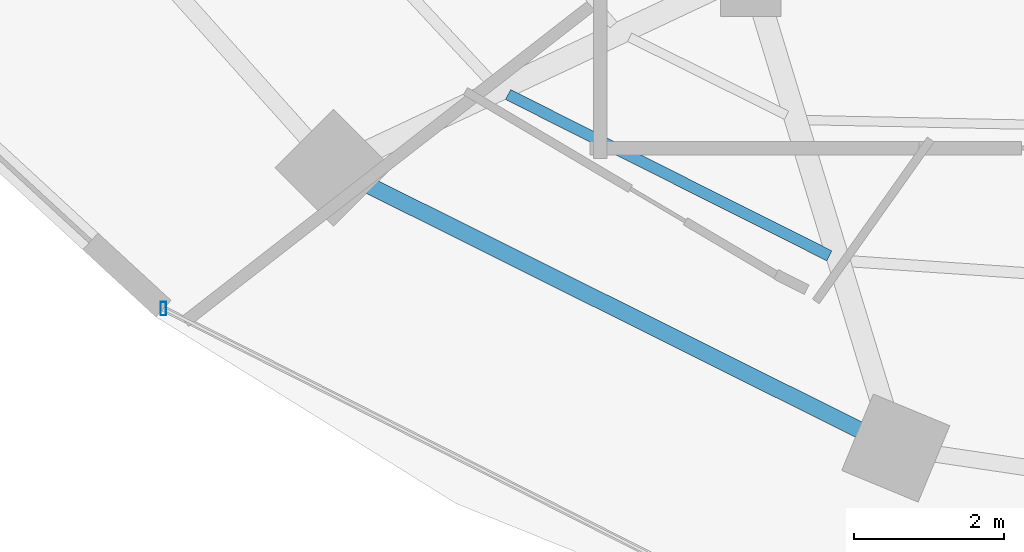
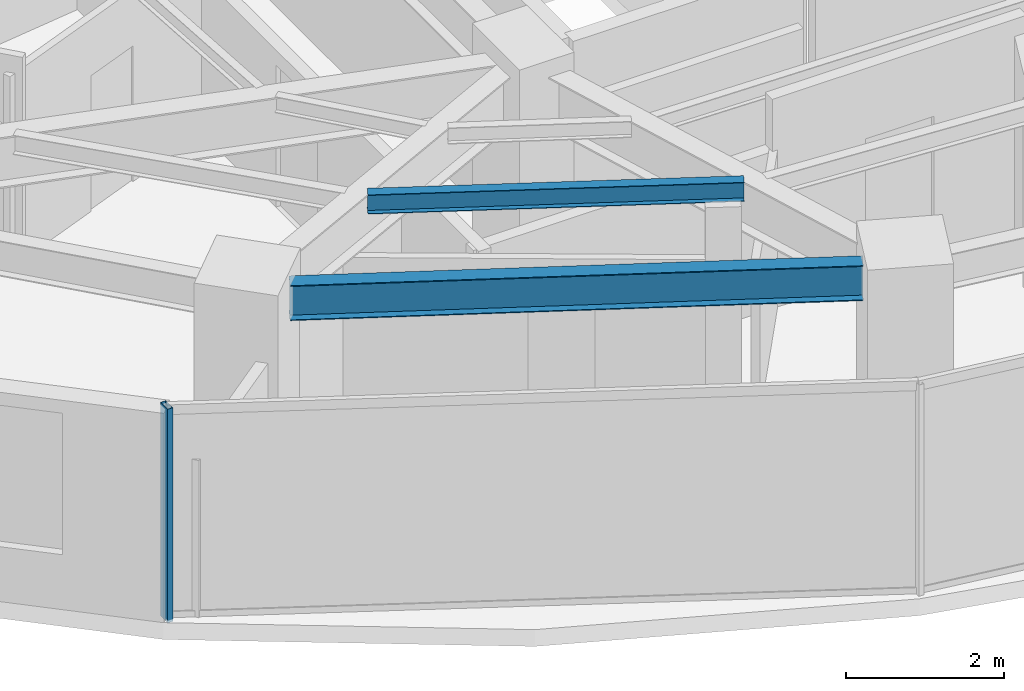
# One storey, part 2 of 30: 2 beams, 1 member, 1 element without a shape of its own.
"""IFC4 building model written with IfcOpenShell, lengths in metres."""

import ifcopenshell
import ifcopenshell.guid

model = None  # the IFC model being written
_history = None  # IfcOwnerHistory: only IFC2X3 demands one
_inside = {}  # id of a spatial element -> (the spatial element, [elements in it])
_under = {}  # id of a project, library or spatial element -> (it, [spatial elements below it])
_declared = {}  # id of a project -> (the project, [libraries it declares])
_typed = {}  # id of a type object -> (the type object, [elements of that type])
_made_of = {}  # id of a material, layer set ... -> (it, [elements and type objects made of it])


def new_model(schema):
    """Start an empty IFC model of exactly this schema.

    Asked for "IFC4X3", IfcOpenShell would pick the latest addendum, in which some entities
    have other attributes; the version numbers below select the first issue.
    IFC2X3 requires an IfcOwnerHistory on every rooted entity: one is made here for all.
    """
    global model, _history
    if schema == "IFC4X3":
        model = ifcopenshell.file(schema_version=(4, 3, 0, 0))
    else:
        model = ifcopenshell.file(schema=schema)
    _inside.clear()
    _under.clear()
    _declared.clear()
    _typed.clear()
    _made_of.clear()
    _history = None
    if model.schema == "IFC2X3":
        org = make("IfcOrganization", Name="unknown")
        user = make(
            "IfcPersonAndOrganization",
            ThePerson=make("IfcPerson", FamilyName="unknown"),
            TheOrganization=org,
        )
        app = make(
            "IfcApplication",
            ApplicationDeveloper=org,
            Version="unknown",
            ApplicationFullName="unknown",
            ApplicationIdentifier="unknown",
        )
        _history = make(
            "IfcOwnerHistory",
            OwningUser=user,
            OwningApplication=app,
            ChangeAction="ADDED",
            CreationDate=0,
        )
    return model


def make(cls, **values):
    """One entity of the class cls with the attributes given. An attribute that is None is left unset."""
    return model.create_entity(
        cls, **{name: value for name, value in values.items() if value is not None}
    )


def rooted(cls, **values):
    """An entity with a GlobalId (a new one), such as an element, a storey or a relation."""
    return make(cls, GlobalId=ifcopenshell.guid.new(), OwnerHistory=_history, **values)


def si_unit(unit_type, name, prefix=None):
    """IfcSIUnit, for example si_unit("LENGTHUNIT", "METRE", prefix="MILLI")."""
    return make("IfcSIUnit", UnitType=unit_type, Prefix=prefix, Name=name)


def assignment(units):
    """IfcUnitAssignment: the units of a project."""
    return None if units is None else make("IfcUnitAssignment", Units=units)


def point(xyz):
    """IfcCartesianPoint."""
    return None if xyz is None else make("IfcCartesianPoint", Coordinates=xyz)


def direction(xyz):
    """IfcDirection."""
    return None if xyz is None else make("IfcDirection", DirectionRatios=xyz)


def frame(location, z_axis=None, x_axis=None):
    """IfcAxis2Placement3D, a coordinate frame: its origin and axes. An axis left out is left unset."""
    return make(
        "IfcAxis2Placement3D",
        Location=point(location),
        Axis=direction(z_axis),
        RefDirection=direction(x_axis),
    )


def frame_2d(location, x_axis=None):
    """IfcAxis2Placement2D, a coordinate frame in the plane: its origin and x axis."""
    return make(
        "IfcAxis2Placement2D", Location=point(location), RefDirection=direction(x_axis)
    )


def origin():
    """The frame at (0, 0, 0) with its axes left unset."""
    return frame((0.0, 0.0, 0.0))


def origin_2d():
    """The frame at (0, 0) in the plane with its x axis left unset."""
    return frame_2d((0.0, 0.0))


def place(relative_to, where):
    """IfcLocalPlacement: puts the frame where relative to a parent placement (None: the world)."""
    return make(
        "IfcLocalPlacement", PlacementRelTo=relative_to, RelativePlacement=where
    )


def context(
    kind, dimensions, precision=None, world=None, true_north=None, identifier=None
):
    """IfcGeometricRepresentationContext, for example the 3D "Model" context."""
    return make(
        "IfcGeometricRepresentationContext",
        ContextIdentifier=identifier,
        ContextType=kind,
        CoordinateSpaceDimension=dimensions,
        Precision=precision,
        WorldCoordinateSystem=world,
        TrueNorth=true_north,
    )


def subcontext(parent, identifier, kind, view, scale=None):
    """IfcGeometricRepresentationSubContext, for example "Body" below "Model"."""
    return make(
        "IfcGeometricRepresentationSubContext",
        ContextIdentifier=identifier,
        ContextType=kind,
        ParentContext=parent,
        TargetScale=scale,
        TargetView=view,
    )


def project(units=None, contexts=None):
    """IfcProject with its units and contexts."""
    return rooted(
        "IfcProject",
        Name="project",
        RepresentationContexts=contexts,
        UnitsInContext=assignment(units),
    )


def spatial(cls, under=None, at=None, **own):
    """A site, building, storey or space (cls), placed at a placement, below another one or the project."""
    s = rooted(cls, ObjectPlacement=at, **own)
    if under is not None:
        _under.setdefault(under.id(), (under, []))[1].append(s)
    return s


def profile(cls, at=None, kind="AREA", **sizes):
    """A parametric profile (cls). Its sizes go by their IFC names, for example OverallWidth=200.0."""
    return make(cls, ProfileType=kind, Position=at, **sizes)


def hollow_rectangle(**sizes):
    """IfcRectangleHollowProfileDef."""
    return profile("IfcRectangleHollowProfileDef", **sizes)


def i_section(**sizes):
    """IfcIShapeProfileDef."""
    return profile("IfcIShapeProfileDef", **sizes)


def extrude(swept, where, along, depth):
    """IfcExtrudedAreaSolid: the profile swept, set in the frame where, extruded along a direction by depth."""
    return make(
        "IfcExtrudedAreaSolid",
        SweptArea=swept,
        Position=where,
        ExtrudedDirection=direction(along),
        Depth=depth,
    )


def shape(context_of_items, identifier, shape_type, items):
    """IfcShapeRepresentation: the items that make up one representation, for example the "Body"."""
    return make(
        "IfcShapeRepresentation",
        ContextOfItems=context_of_items,
        RepresentationIdentifier=identifier,
        RepresentationType=shape_type,
        Items=items,
    )


def material(Name=None, Category=None):
    """IfcMaterial."""
    return make("IfcMaterial", Name=Name, Category=Category)


def material_profile(
    of_material, cross_section, Name=None, Category=None, Priority=None
):
    """IfcMaterialProfile: a cross section and its material."""
    return make(
        "IfcMaterialProfile",
        Name=Name,
        Material=of_material,
        Profile=cross_section,
        Priority=Priority,
        Category=Category,
    )


def profile_set(profiles, Name=None, composite=None):
    """IfcMaterialProfileSet."""
    return make(
        "IfcMaterialProfileSet",
        Name=Name,
        MaterialProfiles=profiles,
        CompositeProfile=composite,
    )


def made_of(thing, what):
    """Note that an element or type object is made of a material, layer set ...; save() writes the relation."""
    if what is not None:
        _made_of.setdefault(what.id(), (what, []))[1].append(thing)
    return thing


def type_object(cls, material=None, **own):
    """A type object (cls), such as IfcWallType, which elements share."""
    return made_of(rooted(cls, **own), material)


def element(
    cls,
    number,
    at=None,
    inside=None,
    cuts=None,
    type_object=None,
    material=None,
    context=None,
    identifier="Body",
    shape_type=None,
    held_by="IfcProductDefinitionShape",
    body=None,
    shapes=None,
    **own,
):
    """One element of the class cls, such as IfcWall. Its Tag is "e" and its number.

    at: its placement. inside: the storey or other place that contains it. cuts: it is an
    opening in that element (IfcRelVoidsElement). A single representation is given by context,
    identifier, shape_type and body (its items); several are given by shapes. held_by: the class
    of the entity that holds the representations. save() writes the other relations.
    """
    e = rooted(cls, Tag="e%d" % number, ObjectPlacement=at, **own)
    if body is not None:
        shapes = [shape(context, identifier, shape_type, body)]
    if shapes is not None:
        e.Representation = make(held_by, Representations=shapes)
    if inside is not None:
        _inside.setdefault(inside.id(), (inside, []))[1].append(e)
    if cuts is not None:
        rooted(
            "IfcRelVoidsElement", RelatingBuildingElement=cuts, RelatedOpeningElement=e
        )
    if type_object is not None:
        _typed.setdefault(type_object.id(), (type_object, []))[1].append(e)
    return made_of(e, material)


def aggregate(whole, parts):
    """IfcRelAggregates: a whole, such as a stair, and the parts it consists of."""
    return rooted("IfcRelAggregates", RelatingObject=whole, RelatedObjects=parts)


def save(model, path):
    """Write the relations noted so far, then the file.

    IfcRelAggregates (storeys below a building ...), IfcRelContainedInSpatialStructure (elements
    in a storey), IfcRelDefinesByType, IfcRelAssociatesMaterial and IfcRelDeclares: one each for
    every whole, place, type object, material and project.
    """
    for whole, parts in _under.values():
        aggregate(whole, parts)
    for where, things in _inside.values():
        rooted(
            "IfcRelContainedInSpatialStructure",
            RelatedElements=things,
            RelatingStructure=where,
        )
    for kind, things in _typed.values():
        rooted("IfcRelDefinesByType", RelatedObjects=things, RelatingType=kind)
    for what, things in _made_of.values():
        rooted("IfcRelAssociatesMaterial", RelatedObjects=things, RelatingMaterial=what)
    for by, libraries in _declared.values():
        rooted("IfcRelDeclares", RelatingContext=by, RelatedDefinitions=libraries)
    model.write(path)


model = new_model("IFC4")

# Units and contexts
model_context = context("Model", 3, precision=1e-05, world=origin(), true_north=direction((0.0, 1.0)))
body_context = subcontext(model_context, "Body", "Model", "MODEL_VIEW")
ifc_project = project(units=[si_unit("LENGTHUNIT", "METRE"), si_unit("AREAUNIT", "SQUARE_METRE"), si_unit("VOLUMEUNIT", "CUBIC_METRE"), si_unit("PLANEANGLEUNIT", "RADIAN"), si_unit("MASSUNIT", "GRAM", prefix="KILO")], contexts=[model_context])

# Site, building, storey
site_placement = place(None, origin())
site = spatial("IfcSite", under=ifc_project, at=site_placement, CompositionType="ELEMENT")
building_placement = place(site_placement, origin())
building = spatial("IfcBuilding", under=site, at=building_placement, Name="Vorneva Point Tower", CompositionType="ELEMENT")
storey_placement = place(building_placement, frame((0.0, 0.0, 96.300048828125)))
storey = spatial("IfcBuildingStorey", under=building, at=storey_placement, Name="L25", CompositionType="ELEMENT", Elevation=96.300048828125)

# Beams
ifc_material_1 = material(Name="Steel S355", Category="steel")
ifc_material_profile_1 = material_profile(ifc_material_1, i_section(OverallWidth=0.14892578125, OverallDepth=0.298095703125, WebThickness=0.005615234375, FlangeThickness=0.008056640625, at=origin_2d()), Name="30B1")
ifc_profile_set_1 = profile_set([ifc_material_profile_1], Name="Steel S355")
beam_type_1 = type_object("IfcBeamType", Name="BM-JST-30B1", PredefinedType="JOIST", material=ifc_profile_set_1)
beam_1_placement = place(storey_placement, frame((24.02294921875, 14.810791015625, 3.091064453125), z_axis=(0.89376245769, -0.448540599304, 0.0), x_axis=(0.448540599304, 0.89376245769, 0.0)))
element("IfcBeam", 1, at=beam_1_placement, inside=storey, type_object=beam_type_1, Name="L25 Secondary Floor Beam 1.11", PredefinedType="JOIST", context=body_context, shape_type="SweptSolid", body=[
    extrude(i_section(OverallWidth=0.14892578125, OverallDepth=0.298095703125, WebThickness=0.005615234375, FlangeThickness=0.008056640625, at=origin_2d()), origin(), (0.0, 0.0, 1.0), 4.78173828125),
])
ifc_material_profile_2 = material_profile(ifc_material_1, i_section(OverallWidth=0.219970703125, OverallDepth=0.54296875, WebThickness=0.009521484375, FlangeThickness=0.013427734375, at=origin_2d()), Name="55B1")
ifc_profile_set_2 = profile_set([ifc_material_profile_2], Name="Steel S355")
beam_type_2 = type_object("IfcBeamType", Name="BM-SPN-55B1", PredefinedType="SPANDREL", material=ifc_profile_set_2)
beam_2_placement = place(storey_placement, frame((22.179931640625, 13.59912109375, 2.968505859375), z_axis=(0.894915882304, -0.446234874926, 0.0), x_axis=(0.446234874926, 0.894915882304, 0.0)))
element("IfcBeam", 2, at=beam_2_placement, inside=storey, type_object=beam_type_2, Name="L25 Perimeter Spandrel Ring Beam 11", PredefinedType="SPANDREL", context=body_context, shape_type="SweptSolid", body=[
    extrude(i_section(OverallWidth=0.219970703125, OverallDepth=0.54296875, WebThickness=0.009521484375, FlangeThickness=0.013427734375, at=origin_2d()), origin(), (0.0, 0.0, 1.0), 7.285888671875),
])

# Curtain wall, member
ifc_material_2 = material(Name="Pale anodised aluminium", Category="aluminium")
curtain_wall_type = type_object("IfcCurtainWallType", Name="CW-HTL-SYS", PredefinedType="NOTDEFINED", material=ifc_material_2)
curtain_wall_placement = place(storey_placement, origin())
curtain_wall = element("IfcCurtainWall", 3, at=curtain_wall_placement, inside=storey, type_object=curtain_wall_type, Name="L25 Unitised Curtain Wall CW-L25-R04", PredefinedType="NOTDEFINED")
ifc_material_profile_3 = material_profile(ifc_material_2, hollow_rectangle(XDim=0.074951171875, YDim=0.179931640625, WallThickness=0.00390625, at=origin_2d()), Name="AL-MUL 180x75x4")
ifc_profile_set_3 = profile_set([ifc_material_profile_3], Name="Pale anodised aluminium")
member_type = type_object("IfcMemberType", Name="CW-MUL-180", PredefinedType="MULLION", material=ifc_profile_set_3)
member_placement = place(storey_placement, frame((19.4384765625, 11.9638671875, -0.0400390625), z_axis=(0.0, 0.0, 1.0), x_axis=(1.0, 0.0, 0.0)))
member = element("IfcMember", 4, at=member_placement, type_object=member_type, Name="CW-L25-R04 Mullion 01", PredefinedType="MULLION", context=body_context, shape_type="SweptSolid", body=[
    extrude(hollow_rectangle(XDim=0.074951171875, YDim=0.179931640625, WallThickness=0.00390625, at=origin_2d()), origin(), (0.0, 0.0, 1.0), 3.31005859375),
])
aggregate(curtain_wall, [member])

save(model, "model.ifc")
